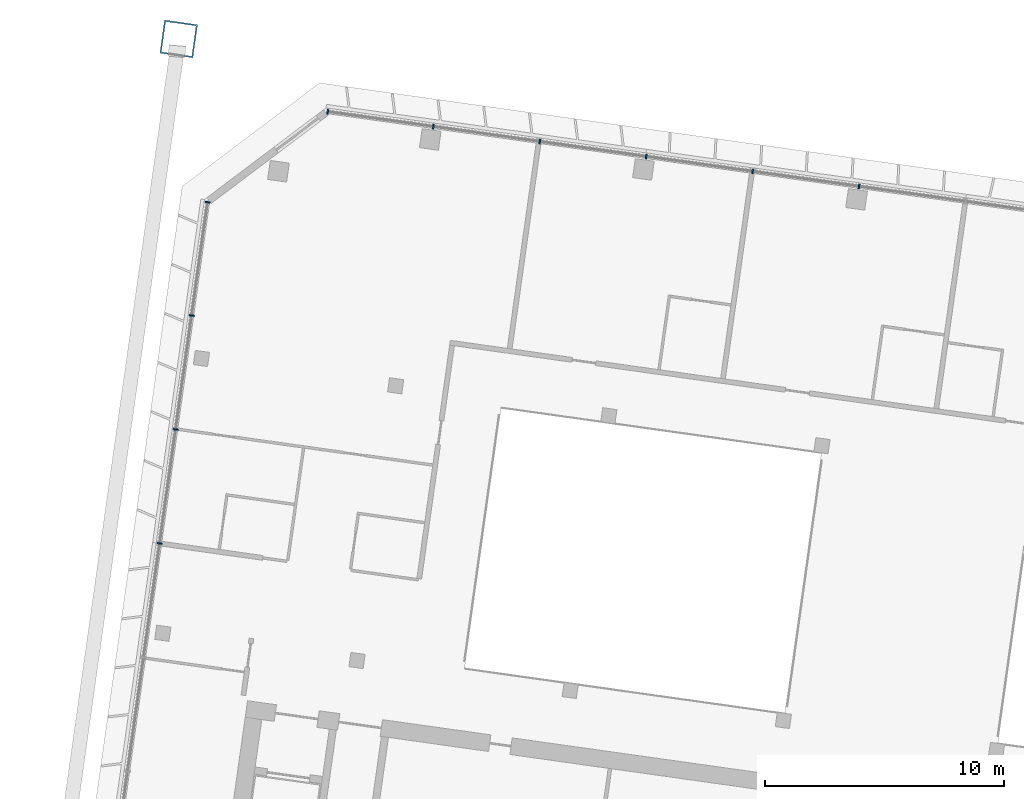
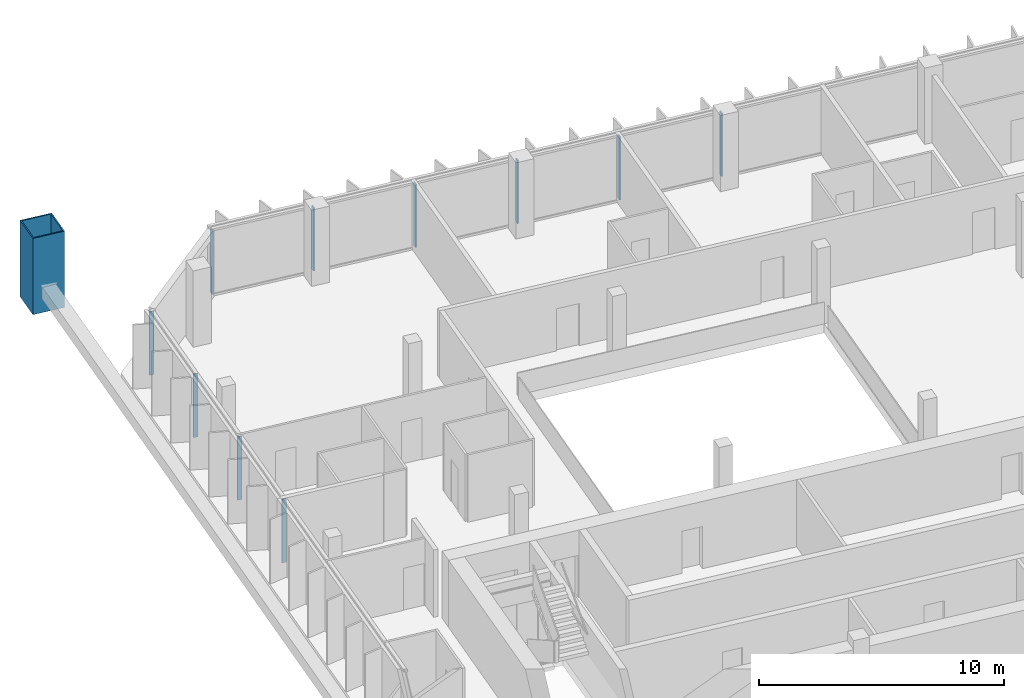
# One storey, part 4 of 31: 11 members, 2 elements without a shape of their own.
"""IFC4 building model written with IfcOpenShell, lengths in metres."""

from ifc_helpers import new_model, si_unit, direction, frame, origin, origin_2d, place, context, subcontext, project, spatial, rectangle, hollow_rectangle, extrude, material, material_profile, profile_set, type_object, element, aggregate, save


model = new_model("IFC4")

# Units and contexts
model_context = context("Model", 3, precision=1e-05, world=origin(), true_north=direction((0.0, 1.0)))
body_context = subcontext(model_context, "Body", "Model", "MODEL_VIEW")
ifc_project = project(units=[si_unit("LENGTHUNIT", "METRE"), si_unit("AREAUNIT", "SQUARE_METRE"), si_unit("VOLUMEUNIT", "CUBIC_METRE"), si_unit("PLANEANGLEUNIT", "RADIAN"), si_unit("MASSUNIT", "GRAM", prefix="KILO")], contexts=[model_context])

# Site, building, storey
site_placement = place(None, origin())
site = spatial("IfcSite", under=ifc_project, at=site_placement, CompositionType="ELEMENT")
building_placement = place(site_placement, origin())
building = spatial("IfcBuilding", under=site, at=building_placement, Name="Mirante Cascada Hotel Towers", CompositionType="ELEMENT")
storey_placement = place(building_placement, frame((0.0, 0.0, 157.4)))
storey = spatial("IfcBuildingStorey", under=building, at=storey_placement, Name="L36", CompositionType="ELEMENT", Elevation=157.4)

# Member
ifc_material_1 = material(Name="Steel ASTM A572 Gr 50", Category="steel")
ifc_material_profile_1 = material_profile(ifc_material_1, hollow_rectangle(XDim=1.4, YDim=1.4, WallThickness=0.06, at=origin_2d()), Name="Box post 1400x1400x60 ASTM A572 Gr 50")
ifc_profile_set_1 = profile_set([ifc_material_profile_1], Name="Steel ASTM A572 Gr 50")
member_type_1 = type_object("IfcMemberType", Name="Box post 1400x1400x60 ASTM A572 Gr 50", PredefinedType="POST", material=ifc_profile_set_1)
member_1_placement = place(storey_placement, frame((-91.4448, 27.8419, 0.0), z_axis=(0.0, 0.0, 1.0), x_axis=(-0.9902681, 0.1391731, 0.0)))
element("IfcMember", 1, at=member_1_placement, inside=storey, type_object=member_type_1, Name="Mega column MP3 T1 L36", PredefinedType="POST", context=body_context, shape_type="SweptSolid", body=[
    extrude(hollow_rectangle(XDim=1.4, YDim=1.4, WallThickness=0.06, at=origin_2d()), origin(), (0.0, 0.0, 1.0), 3.8),
])

# Curtain wall, members
ifc_material_2 = material(Name="Aluminium mullion and transom frame with clear laminated glass", Category="aluminium")
curtain_wall_type_1 = type_object("IfcCurtainWallType", Name="Ribbon curtain wall ECW1", PredefinedType="NOTDEFINED", material=ifc_material_2)
curtain_wall_1_placement = place(storey_placement, origin())
curtain_wall_1 = element("IfcCurtainWall", 2, at=curtain_wall_1_placement, inside=storey, type_object=curtain_wall_type_1, Name="Front ribbon wall T1 L36", PredefinedType="NOTDEFINED")
ifc_material_3 = material(Name="Anodised aluminium extrusion", Category="aluminium")
ifc_material_profile_2 = material_profile(ifc_material_3, rectangle(XDim=0.2, YDim=0.065, at=origin_2d()), Name="ECW1 MULLION 65x200")
ifc_profile_set_2 = profile_set([ifc_material_profile_2], Name="Anodised aluminium extrusion")
member_type_2 = type_object("IfcMemberType", Name="ECW1 mullion 65x200", PredefinedType="MULLION", material=ifc_profile_set_2)
member_2_placement = place(storey_placement, frame((-85.2136, 24.795, 0.1), z_axis=(0.0, 0.0, 1.0), x_axis=(0.1391731, 0.9902681, 0.0)))
member_2 = element("IfcMember", 3, at=member_2_placement, type_object=member_type_2, Name="ECW1 mullion 1", PredefinedType="MULLION", context=body_context, shape_type="SweptSolid", body=[
    extrude(rectangle(XDim=0.2, YDim=0.065, at=origin_2d()), origin(), (0.0, 0.0, 1.0), 3.15),
])
member_3_placement = place(storey_placement, frame((-80.7968, 24.1743, 0.1), z_axis=(0.0, 0.0, 1.0), x_axis=(0.1391731, 0.9902681, 0.0)))
member_3 = element("IfcMember", 4, at=member_3_placement, type_object=member_type_2, Name="ECW1 mullion 2", PredefinedType="MULLION", context=body_context, shape_type="SweptSolid", body=[
    extrude(rectangle(XDim=0.2, YDim=0.065, at=origin_2d()), origin(), (0.0, 0.0, 1.0), 3.15),
])
member_4_placement = place(storey_placement, frame((-76.3479, 23.549, 0.1), z_axis=(0.0, 0.0, 1.0), x_axis=(0.1391731, 0.9902681, 0.0)))
member_4 = element("IfcMember", 5, at=member_4_placement, type_object=member_type_2, Name="ECW1 mullion 3", PredefinedType="MULLION", context=body_context, shape_type="SweptSolid", body=[
    extrude(rectangle(XDim=0.2, YDim=0.065, at=origin_2d()), origin(), (0.0, 0.0, 1.0), 3.15),
])
member_5_placement = place(storey_placement, frame((-71.899, 22.9238, 0.1), z_axis=(0.0, 0.0, 1.0), x_axis=(0.1391731, 0.9902681, 0.0)))
member_5 = element("IfcMember", 6, at=member_5_placement, type_object=member_type_2, Name="ECW1 mullion 4", PredefinedType="MULLION", context=body_context, shape_type="SweptSolid", body=[
    extrude(rectangle(XDim=0.2, YDim=0.065, at=origin_2d()), origin(), (0.0, 0.0, 1.0), 3.15),
])
member_6_placement = place(storey_placement, frame((-67.4501, 22.2985, 0.1), z_axis=(0.0, 0.0, 1.0), x_axis=(0.1391731, 0.9902681, 0.0)))
member_6 = element("IfcMember", 7, at=member_6_placement, type_object=member_type_2, Name="ECW1 mullion 5", PredefinedType="MULLION", context=body_context, shape_type="SweptSolid", body=[
    extrude(rectangle(XDim=0.2, YDim=0.065, at=origin_2d()), origin(), (0.0, 0.0, 1.0), 3.15),
])
member_7_placement = place(storey_placement, frame((-63.0012, 21.6733, 0.1), z_axis=(0.0, 0.0, 1.0), x_axis=(0.1391731, 0.9902681, 0.0)))
member_7 = element("IfcMember", 8, at=member_7_placement, type_object=member_type_2, Name="ECW1 mullion 6", PredefinedType="MULLION", context=body_context, shape_type="SweptSolid", body=[
    extrude(rectangle(XDim=0.2, YDim=0.065, at=origin_2d()), origin(), (0.0, 0.0, 1.0), 3.15),
])
aggregate(curtain_wall_1, [member_2, member_3, member_4, member_5, member_6, member_7])

ifc_material_4 = material(Name="Aluminium mullion and transom frame with clear laminated glass", Category="aluminium")
curtain_wall_type_2 = type_object("IfcCurtainWallType", Name="End ribbon curtain wall ECW2", PredefinedType="NOTDEFINED", material=ifc_material_4)
curtain_wall_2_placement = place(storey_placement, origin())
curtain_wall_2 = element("IfcCurtainWall", 9, at=curtain_wall_2_placement, inside=storey, type_object=curtain_wall_type_2, Name="Outer end wall T1 L36", PredefinedType="NOTDEFINED")
ifc_material_5 = material(Name="Anodised aluminium extrusion", Category="aluminium")
ifc_material_profile_3 = material_profile(ifc_material_5, rectangle(XDim=0.2, YDim=0.065, at=origin_2d()), Name="ECW2 MULLION 65x200")
ifc_profile_set_3 = profile_set([ifc_material_profile_3], Name="Anodised aluminium extrusion")
member_type_3 = type_object("IfcMemberType", Name="ECW2 mullion 65x200", PredefinedType="MULLION", material=ifc_profile_set_3)
member_8_placement = place(storey_placement, frame((-92.2383, 6.747, 0.1), z_axis=(0.0, 0.0, 1.0), x_axis=(-0.9902681, 0.1391731, 0.0)))
member_8 = element("IfcMember", 10, at=member_8_placement, type_object=member_type_3, Name="ECW2 mullion 4", PredefinedType="MULLION", context=body_context, shape_type="SweptSolid", body=[
    extrude(rectangle(XDim=0.2, YDim=0.065, at=origin_2d()), origin(), (0.0, 0.0, 1.0), 3.15),
])
member_9_placement = place(storey_placement, frame((-91.5686, 11.5128, 0.1), z_axis=(0.0, 0.0, 1.0), x_axis=(-0.9902681, 0.1391731, 0.0)))
member_9 = element("IfcMember", 11, at=member_9_placement, type_object=member_type_3, Name="ECW2 mullion 5", PredefinedType="MULLION", context=body_context, shape_type="SweptSolid", body=[
    extrude(rectangle(XDim=0.2, YDim=0.065, at=origin_2d()), origin(), (0.0, 0.0, 1.0), 3.15),
])
member_10_placement = place(storey_placement, frame((-90.8988, 16.2786, 0.1), z_axis=(0.0, 0.0, 1.0), x_axis=(-0.9902681, 0.1391731, 0.0)))
member_10 = element("IfcMember", 12, at=member_10_placement, type_object=member_type_3, Name="ECW2 mullion 6", PredefinedType="MULLION", context=body_context, shape_type="SweptSolid", body=[
    extrude(rectangle(XDim=0.2, YDim=0.065, at=origin_2d()), origin(), (0.0, 0.0, 1.0), 3.15),
])
member_11_placement = place(storey_placement, frame((-90.2335, 21.0122, 0.1), z_axis=(0.0, 0.0, 1.0), x_axis=(-0.9902681, 0.1391731, 0.0)))
member_11 = element("IfcMember", 13, at=member_11_placement, type_object=member_type_3, Name="ECW2 mullion 7", PredefinedType="MULLION", context=body_context, shape_type="SweptSolid", body=[
    extrude(rectangle(XDim=0.2, YDim=0.065, at=origin_2d()), origin(), (0.0, 0.0, 1.0), 3.15),
])
aggregate(curtain_wall_2, [member_8, member_9, member_10, member_11])

save(model, "model.ifc")
